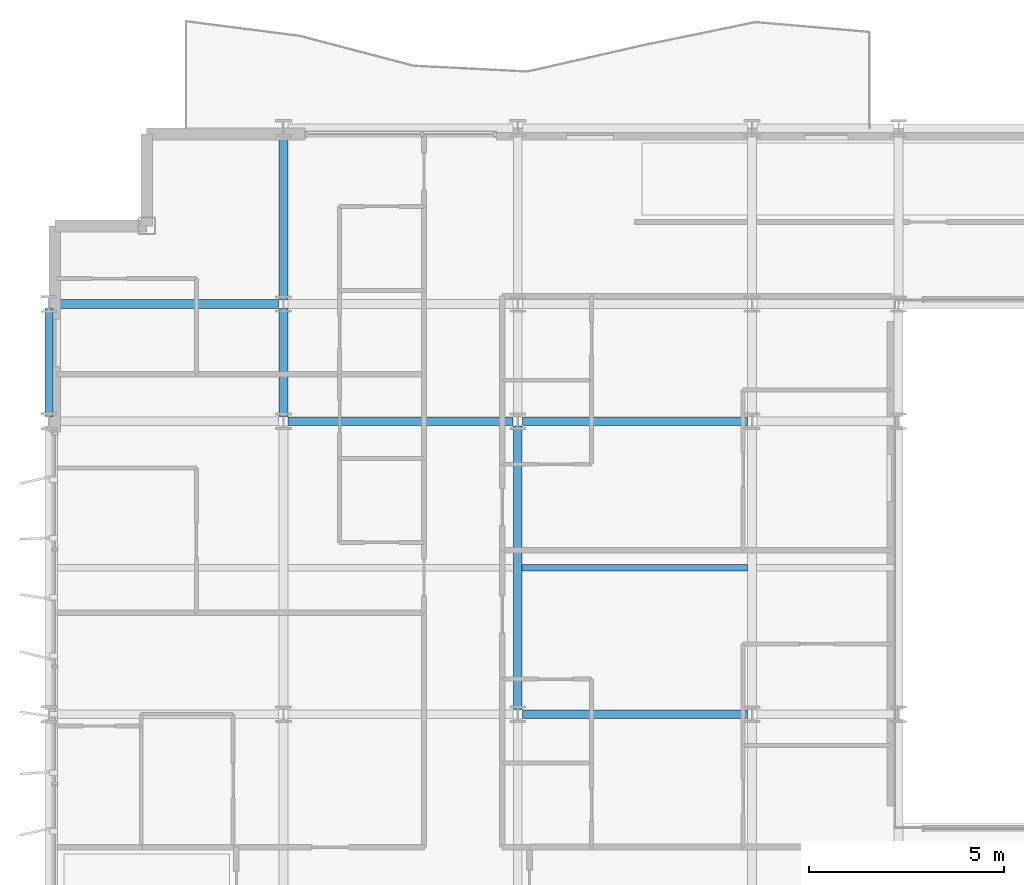
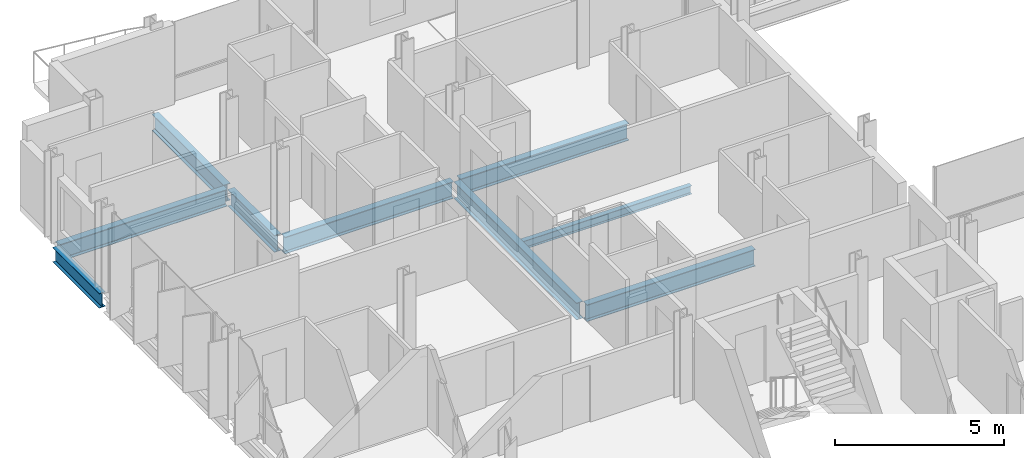
# One storey, part 6 of 39: 9 beams.
"""IFC4 building model written with IfcOpenShell, lengths in metres."""

import ifcopenshell
import ifcopenshell.guid

model = None  # the IFC model being written
_history = None  # IfcOwnerHistory: only IFC2X3 demands one
_inside = {}  # id of a spatial element -> (the spatial element, [elements in it])
_under = {}  # id of a project, library or spatial element -> (it, [spatial elements below it])
_declared = {}  # id of a project -> (the project, [libraries it declares])
_typed = {}  # id of a type object -> (the type object, [elements of that type])
_made_of = {}  # id of a material, layer set ... -> (it, [elements and type objects made of it])


def new_model(schema):
    """Start an empty IFC model of exactly this schema.

    Asked for "IFC4X3", IfcOpenShell would pick the latest addendum, in which some entities
    have other attributes; the version numbers below select the first issue.
    IFC2X3 requires an IfcOwnerHistory on every rooted entity: one is made here for all.
    """
    global model, _history
    if schema == "IFC4X3":
        model = ifcopenshell.file(schema_version=(4, 3, 0, 0))
    else:
        model = ifcopenshell.file(schema=schema)
    _inside.clear()
    _under.clear()
    _declared.clear()
    _typed.clear()
    _made_of.clear()
    _history = None
    if model.schema == "IFC2X3":
        org = make("IfcOrganization", Name="unknown")
        user = make(
            "IfcPersonAndOrganization",
            ThePerson=make("IfcPerson", FamilyName="unknown"),
            TheOrganization=org,
        )
        app = make(
            "IfcApplication",
            ApplicationDeveloper=org,
            Version="unknown",
            ApplicationFullName="unknown",
            ApplicationIdentifier="unknown",
        )
        _history = make(
            "IfcOwnerHistory",
            OwningUser=user,
            OwningApplication=app,
            ChangeAction="ADDED",
            CreationDate=0,
        )
    return model


def make(cls, **values):
    """One entity of the class cls with the attributes given. An attribute that is None is left unset."""
    return model.create_entity(
        cls, **{name: value for name, value in values.items() if value is not None}
    )


def rooted(cls, **values):
    """An entity with a GlobalId (a new one), such as an element, a storey or a relation."""
    return make(cls, GlobalId=ifcopenshell.guid.new(), OwnerHistory=_history, **values)


def si_unit(unit_type, name, prefix=None):
    """IfcSIUnit, for example si_unit("LENGTHUNIT", "METRE", prefix="MILLI")."""
    return make("IfcSIUnit", UnitType=unit_type, Prefix=prefix, Name=name)


def assignment(units):
    """IfcUnitAssignment: the units of a project."""
    return None if units is None else make("IfcUnitAssignment", Units=units)


def point(xyz):
    """IfcCartesianPoint."""
    return None if xyz is None else make("IfcCartesianPoint", Coordinates=xyz)


def direction(xyz):
    """IfcDirection."""
    return None if xyz is None else make("IfcDirection", DirectionRatios=xyz)


def frame(location, z_axis=None, x_axis=None):
    """IfcAxis2Placement3D, a coordinate frame: its origin and axes. An axis left out is left unset."""
    return make(
        "IfcAxis2Placement3D",
        Location=point(location),
        Axis=direction(z_axis),
        RefDirection=direction(x_axis),
    )


def frame_2d(location, x_axis=None):
    """IfcAxis2Placement2D, a coordinate frame in the plane: its origin and x axis."""
    return make(
        "IfcAxis2Placement2D", Location=point(location), RefDirection=direction(x_axis)
    )


def origin():
    """The frame at (0, 0, 0) with its axes left unset."""
    return frame((0.0, 0.0, 0.0))


def origin_2d():
    """The frame at (0, 0) in the plane with its x axis left unset."""
    return frame_2d((0.0, 0.0))


def place(relative_to, where):
    """IfcLocalPlacement: puts the frame where relative to a parent placement (None: the world)."""
    return make(
        "IfcLocalPlacement", PlacementRelTo=relative_to, RelativePlacement=where
    )


def context(
    kind, dimensions, precision=None, world=None, true_north=None, identifier=None
):
    """IfcGeometricRepresentationContext, for example the 3D "Model" context."""
    return make(
        "IfcGeometricRepresentationContext",
        ContextIdentifier=identifier,
        ContextType=kind,
        CoordinateSpaceDimension=dimensions,
        Precision=precision,
        WorldCoordinateSystem=world,
        TrueNorth=true_north,
    )


def subcontext(parent, identifier, kind, view, scale=None):
    """IfcGeometricRepresentationSubContext, for example "Body" below "Model"."""
    return make(
        "IfcGeometricRepresentationSubContext",
        ContextIdentifier=identifier,
        ContextType=kind,
        ParentContext=parent,
        TargetScale=scale,
        TargetView=view,
    )


def project(units=None, contexts=None):
    """IfcProject with its units and contexts."""
    return rooted(
        "IfcProject",
        Name="project",
        RepresentationContexts=contexts,
        UnitsInContext=assignment(units),
    )


def spatial(cls, under=None, at=None, **own):
    """A site, building, storey or space (cls), placed at a placement, below another one or the project."""
    s = rooted(cls, ObjectPlacement=at, **own)
    if under is not None:
        _under.setdefault(under.id(), (under, []))[1].append(s)
    return s


def profile(cls, at=None, kind="AREA", **sizes):
    """A parametric profile (cls). Its sizes go by their IFC names, for example OverallWidth=200.0."""
    return make(cls, ProfileType=kind, Position=at, **sizes)


def i_section(**sizes):
    """IfcIShapeProfileDef."""
    return profile("IfcIShapeProfileDef", **sizes)


def extrude(swept, where, along, depth):
    """IfcExtrudedAreaSolid: the profile swept, set in the frame where, extruded along a direction by depth."""
    return make(
        "IfcExtrudedAreaSolid",
        SweptArea=swept,
        Position=where,
        ExtrudedDirection=direction(along),
        Depth=depth,
    )


def shape(context_of_items, identifier, shape_type, items):
    """IfcShapeRepresentation: the items that make up one representation, for example the "Body"."""
    return make(
        "IfcShapeRepresentation",
        ContextOfItems=context_of_items,
        RepresentationIdentifier=identifier,
        RepresentationType=shape_type,
        Items=items,
    )


def material(Name=None, Category=None):
    """IfcMaterial."""
    return make("IfcMaterial", Name=Name, Category=Category)


def material_profile(
    of_material, cross_section, Name=None, Category=None, Priority=None
):
    """IfcMaterialProfile: a cross section and its material."""
    return make(
        "IfcMaterialProfile",
        Name=Name,
        Material=of_material,
        Profile=cross_section,
        Priority=Priority,
        Category=Category,
    )


def profile_set(profiles, Name=None, composite=None):
    """IfcMaterialProfileSet."""
    return make(
        "IfcMaterialProfileSet",
        Name=Name,
        MaterialProfiles=profiles,
        CompositeProfile=composite,
    )


def made_of(thing, what):
    """Note that an element or type object is made of a material, layer set ...; save() writes the relation."""
    if what is not None:
        _made_of.setdefault(what.id(), (what, []))[1].append(thing)
    return thing


def type_object(cls, material=None, **own):
    """A type object (cls), such as IfcWallType, which elements share."""
    return made_of(rooted(cls, **own), material)


def element(
    cls,
    number,
    at=None,
    inside=None,
    cuts=None,
    type_object=None,
    material=None,
    context=None,
    identifier="Body",
    shape_type=None,
    held_by="IfcProductDefinitionShape",
    body=None,
    shapes=None,
    **own,
):
    """One element of the class cls, such as IfcWall. Its Tag is "e" and its number.

    at: its placement. inside: the storey or other place that contains it. cuts: it is an
    opening in that element (IfcRelVoidsElement). A single representation is given by context,
    identifier, shape_type and body (its items); several are given by shapes. held_by: the class
    of the entity that holds the representations. save() writes the other relations.
    """
    e = rooted(cls, Tag="e%d" % number, ObjectPlacement=at, **own)
    if body is not None:
        shapes = [shape(context, identifier, shape_type, body)]
    if shapes is not None:
        e.Representation = make(held_by, Representations=shapes)
    if inside is not None:
        _inside.setdefault(inside.id(), (inside, []))[1].append(e)
    if cuts is not None:
        rooted(
            "IfcRelVoidsElement", RelatingBuildingElement=cuts, RelatedOpeningElement=e
        )
    if type_object is not None:
        _typed.setdefault(type_object.id(), (type_object, []))[1].append(e)
    return made_of(e, material)


def aggregate(whole, parts):
    """IfcRelAggregates: a whole, such as a stair, and the parts it consists of."""
    return rooted("IfcRelAggregates", RelatingObject=whole, RelatedObjects=parts)


def save(model, path):
    """Write the relations noted so far, then the file.

    IfcRelAggregates (storeys below a building ...), IfcRelContainedInSpatialStructure (elements
    in a storey), IfcRelDefinesByType, IfcRelAssociatesMaterial and IfcRelDeclares: one each for
    every whole, place, type object, material and project.
    """
    for whole, parts in _under.values():
        aggregate(whole, parts)
    for where, things in _inside.values():
        rooted(
            "IfcRelContainedInSpatialStructure",
            RelatedElements=things,
            RelatingStructure=where,
        )
    for kind, things in _typed.values():
        rooted("IfcRelDefinesByType", RelatedObjects=things, RelatingType=kind)
    for what, things in _made_of.values():
        rooted("IfcRelAssociatesMaterial", RelatedObjects=things, RelatingMaterial=what)
    for by, libraries in _declared.values():
        rooted("IfcRelDeclares", RelatingContext=by, RelatedDefinitions=libraries)
    model.write(path)


model = new_model("IFC4")

# Units and contexts
model_context = context("Model", 3, precision=1e-05, world=origin(), true_north=direction((0.0, 1.0)))
body_context = subcontext(model_context, "Body", "Model", "MODEL_VIEW")
ifc_project = project(units=[si_unit("LENGTHUNIT", "METRE"), si_unit("AREAUNIT", "SQUARE_METRE"), si_unit("VOLUMEUNIT", "CUBIC_METRE"), si_unit("PLANEANGLEUNIT", "RADIAN"), si_unit("MASSUNIT", "GRAM", prefix="KILO")], contexts=[model_context])

# Site, building, storey
site_placement = place(None, origin())
site = spatial("IfcSite", under=ifc_project, at=site_placement, CompositionType="ELEMENT")
building_placement = place(site_placement, origin())
building = spatial("IfcBuilding", under=site, at=building_placement, Name="Brevholm Reach", CompositionType="ELEMENT")
storey_placement = place(building_placement, frame((0.0, 0.0, 103.5)))
storey = spatial("IfcBuildingStorey", under=building, at=storey_placement, Name="L30", CompositionType="ELEMENT", Elevation=103.5)

# Beams
ifc_material_1 = material(Name="Structural Steel S355J2", Category="steel")
ifc_material_profile_1 = material_profile(ifc_material_1, i_section(OverallWidth=0.1650390625, OverallDepth=0.303466796875, WebThickness=0.006103515625, FlangeThickness=0.01025390625, FilletRadius=0.0087890625, at=origin_2d()), Name="UKB 305x165x40")
ifc_profile_set_1 = profile_set([ifc_material_profile_1], Name="Structural Steel S355J2")
beam_type_1 = type_object("IfcBeamType", Name="BM-B305", PredefinedType="BEAM", material=ifc_profile_set_1)
beam_1_placement = place(storey_placement, frame((12.114501953125, 19.75, -0.37158203125), z_axis=(1.0, 0.0, 0.0), x_axis=(0.0, 1.0, 0.0)))
element("IfcBeam", 1, at=beam_1_placement, inside=storey, type_object=beam_type_1, Name="L30 Composite Secondary Floor Beam", PredefinedType="BEAM", context=body_context, shape_type="SweptSolid", body=[
    extrude(i_section(OverallWidth=0.1650390625, OverallDepth=0.303466796875, WebThickness=0.006103515625, FlangeThickness=0.01025390625, FilletRadius=0.0087890625, at=origin_2d()), origin(), (0.0, 0.0, 1.0), 5.77099609375),
])
ifc_material_2 = material(Name="Structural Steel S355J2", Category="steel")
ifc_material_profile_2 = material_profile(ifc_material_2, i_section(OverallWidth=0.209228515625, OverallDepth=0.533203125, WebThickness=0.010009765625, FlangeThickness=0.015625, FilletRadius=0.0126953125, at=origin_2d()), Name="UKB 533x210x92")
ifc_profile_set_2 = profile_set([ifc_material_profile_2], Name="Structural Steel S355J2")
beam_type_2 = type_object("IfcBeamType", Name="BM-SP533", PredefinedType="SPANDREL", material=ifc_profile_set_2)
beam_2_placement = place(storey_placement, frame((0.0, 23.6201171875, -0.486572265625), z_axis=(0.0, 1.0, 0.0), x_axis=(-1.0, 0.0, 0.0)))
element("IfcBeam", 2, at=beam_2_placement, inside=storey, type_object=beam_type_2, Name="L30 SP-02 Framing Beam", PredefinedType="SPANDREL", context=body_context, shape_type="SweptSolid", body=[
    extrude(i_section(OverallWidth=0.209228515625, OverallDepth=0.533203125, WebThickness=0.010009765625, FlangeThickness=0.015625, FilletRadius=0.0126953125, at=origin_2d()), origin(), (0.0, 0.0, 1.0), 2.759765625),
])
ifc_material_3 = material(Name="Structural Steel S355J2", Category="steel")
ifc_material_profile_3 = material_profile(ifc_material_3, i_section(OverallWidth=0.22900390625, OverallDepth=0.6123046875, WebThickness=0.011962890625, FlangeThickness=0.01953125, FilletRadius=0.0126953125, at=origin_2d()), Name="UKB 610x229x125")
ifc_profile_set_3 = profile_set([ifc_material_profile_3], Name="Structural Steel S355J2")
beam_type_3 = type_object("IfcBeamType", Name="BM-SP610", PredefinedType="SPANDREL", material=ifc_profile_set_3)
for number, where, z_axis, x_axis, name in (
    (3, (12.1201171875, 16.0, -0.526123046875), (1.0, 0.0, 0.0), (0.0, 1.0, 0.0), "L30 SP-01 Framing Beam"),
    (4, (6.1201171875, 23.5, -0.526123046875), (1.0, 0.0, 0.0), (0.0, 1.0, 0.0), "L30 SP-01 Framing Beam"),
    (5, (12.1201171875, 23.5, -0.526123046875), (1.0, 0.0, 0.0), (0.0, 1.0, 0.0), "L30 SP-01 Framing Beam"),
    (6, (0.1201171875, 26.5, -0.526123046875), (1.0, 0.0, 0.0), (0.0, 1.0, 0.0), "L30 SP-01 Framing Beam"),
):
    element("IfcBeam", number, at=place(storey_placement, frame(where, z_axis=z_axis, x_axis=x_axis)), inside=storey, type_object=beam_type_3, Name=name, PredefinedType="SPANDREL", context=body_context, shape_type="SweptSolid", body=[
        extrude(i_section(OverallWidth=0.22900390625, OverallDepth=0.6123046875, WebThickness=0.011962890625, FlangeThickness=0.01953125, FilletRadius=0.0126953125, at=origin_2d()), origin(), (0.0, 0.0, 1.0), 5.759765625),
    ])
beam_3_placement = place(storey_placement, frame((6.0, 23.6201171875, -0.526123046875), z_axis=(0.0, 1.0, 0.0), x_axis=(-1.0, 0.0, 0.0)))
element("IfcBeam", 7, at=beam_3_placement, inside=storey, type_object=beam_type_3, Name="L30 SP-01 Framing Beam", PredefinedType="SPANDREL", context=body_context, shape_type="SweptSolid", body=[
    extrude(i_section(OverallWidth=0.22900390625, OverallDepth=0.6123046875, WebThickness=0.011962890625, FlangeThickness=0.01953125, FilletRadius=0.0126953125, at=origin_2d()), origin(), (0.0, 0.0, 1.0), 2.759765625),
])
beam_4_placement = place(storey_placement, frame((6.0, 26.6201171875, -0.526123046875), z_axis=(0.0, 1.0, 0.0), x_axis=(-1.0, 0.0, 0.0)))
element("IfcBeam", 8, at=beam_4_placement, inside=storey, type_object=beam_type_3, Name="L30 SP-01 Framing Beam", PredefinedType="SPANDREL", context=body_context, shape_type="SweptSolid", body=[
    extrude(i_section(OverallWidth=0.22900390625, OverallDepth=0.6123046875, WebThickness=0.011962890625, FlangeThickness=0.01953125, FilletRadius=0.0126953125, at=origin_2d()), origin(), (0.0, 0.0, 1.0), 4.259765625),
])
beam_5_placement = place(storey_placement, frame((12.0, 16.1201171875, -0.526123046875), z_axis=(0.0, 1.0, 0.0), x_axis=(-1.0, 0.0, 0.0)))
element("IfcBeam", 9, at=beam_5_placement, inside=storey, type_object=beam_type_3, Name="L30 SP-01 Framing Beam", PredefinedType="SPANDREL", context=body_context, shape_type="SweptSolid", body=[
    extrude(i_section(OverallWidth=0.22900390625, OverallDepth=0.6123046875, WebThickness=0.011962890625, FlangeThickness=0.01953125, FilletRadius=0.0126953125, at=origin_2d()), origin(), (0.0, 0.0, 1.0), 7.259765625),
])

save(model, "model.ifc")
